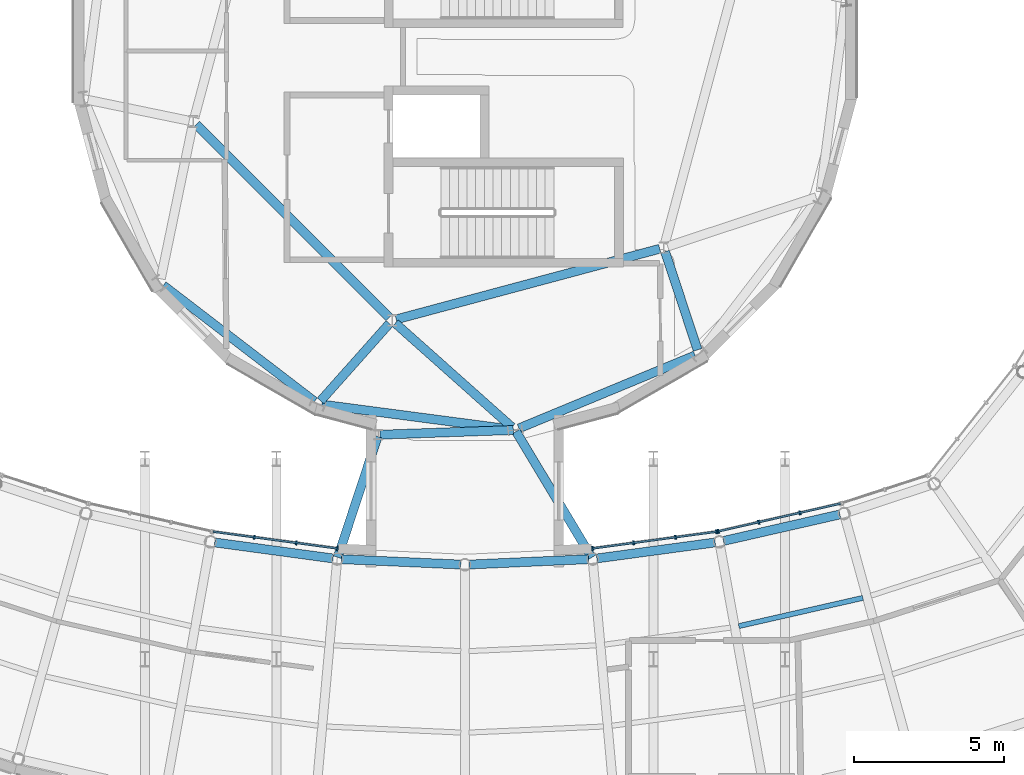
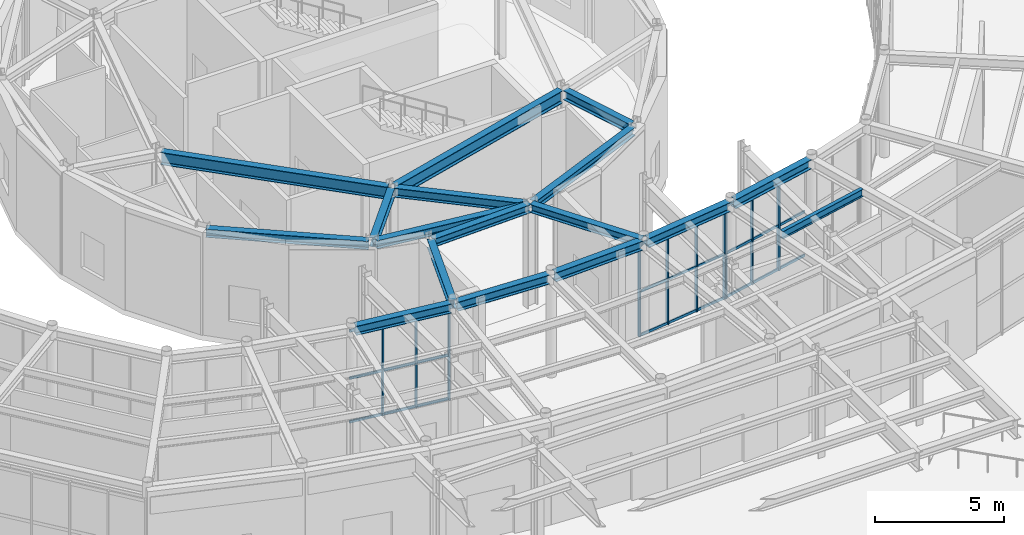
# One storey, part 28 of 97: 19 members, 17 beams, 3 elements without a shape of their own.
"""IFC4 building model written with IfcOpenShell, lengths in metres."""

from ifc_helpers import new_model, si_unit, direction, frame, origin, origin_2d, place, context, subcontext, project, spatial, rectangle, i_section, extrude, material, material_profile, profile_set, type_object, element, aggregate, save


model = new_model("IFC4")

# Units and contexts
model_context = context("Model", 3, precision=1e-05, world=origin(), true_north=direction((0.0, 1.0)))
body_context = subcontext(model_context, "Body", "Model", "MODEL_VIEW")
ifc_project = project(units=[si_unit("LENGTHUNIT", "METRE"), si_unit("AREAUNIT", "SQUARE_METRE"), si_unit("VOLUMEUNIT", "CUBIC_METRE"), si_unit("PLANEANGLEUNIT", "RADIAN"), si_unit("MASSUNIT", "GRAM", prefix="KILO")], contexts=[model_context])

# Site, building, storey
site_placement = place(None, origin())
site = spatial("IfcSite", under=ifc_project, at=site_placement, CompositionType="ELEMENT")
building_placement = place(site_placement, origin())
building = spatial("IfcBuilding", under=site, at=building_placement, Name="Varnklinge Art Gallery", CompositionType="ELEMENT")
storey_placement = place(building_placement, origin())
storey = spatial("IfcBuildingStorey", under=building, at=storey_placement, Name="L00", CompositionType="ELEMENT", Elevation=0.0)

# Beams
ifc_material_1 = material(Name="Steel S355", Category="steel")
ifc_material_profile_1 = material_profile(ifc_material_1, i_section(OverallWidth=0.300048828125, OverallDepth=0.590087890625, WebThickness=0.012939453125, FlangeThickness=0.02490234375, FilletRadius=0.027099609375, at=origin_2d()), Name="HEA 600")
ifc_profile_set_1 = profile_set([ifc_material_profile_1], Name="Steel S355")
beam_type_1 = type_object("IfcBeamType", Name="BM-06", PredefinedType="BEAM", material=ifc_profile_set_1)
beam_1_placement = place(storey_placement, frame((66.519287109375, 35.968017578125, 4.5849609375), z_axis=(0.707106781187, -0.707106781187, 0.0), x_axis=(0.707106781187, 0.707106781187, 0.0)))
element("IfcBeam", 1, at=beam_1_placement, inside=storey, type_object=beam_type_1, Name="L00 BM-06 BM-V4D-L01-I4", PredefinedType="BEAM", context=body_context, shape_type="SweptSolid", body=[
    extrude(i_section(OverallWidth=0.300048828125, OverallDepth=0.590087890625, WebThickness=0.012939453125, FlangeThickness=0.02490234375, FilletRadius=0.027099609375, at=origin_2d()), origin(), (0.0, 0.0, 1.0), 9.119873046875),
])
beam_2_placement = place(storey_placement, frame((73.202392578125, 29.45654296875, 4.5849609375), z_axis=(0.965928574877, 0.258808787016, 0.0), x_axis=(-0.258808787016, 0.965928574877, 0.0)))
element("IfcBeam", 2, at=beam_2_placement, inside=storey, type_object=beam_type_1, Name="L00 BM-06 BM-V4D-L01-I5", PredefinedType="BEAM", context=body_context, shape_type="SweptSolid", body=[
    extrude(i_section(OverallWidth=0.300048828125, OverallDepth=0.590087890625, WebThickness=0.012939453125, FlangeThickness=0.02490234375, FilletRadius=0.027099609375, at=origin_2d()), origin(), (0.0, 0.0, 1.0), 9.1201171875),
])
ifc_material_2 = material(Name="Steel S355", Category="steel")
ifc_material_profile_2 = material_profile(ifc_material_2, i_section(OverallWidth=0.300048828125, OverallDepth=0.43994140625, WebThickness=0.011474609375, FlangeThickness=0.02099609375, FilletRadius=0.027099609375, at=origin_2d()), Name="HEA 450")
ifc_profile_set_2 = profile_set([ifc_material_profile_2], Name="Steel S355")
beam_type_2 = type_object("IfcBeamType", Name="BM-08", PredefinedType="BEAM", material=ifc_profile_set_2)
beam_3_placement = place(storey_placement, frame((72.97412109375, 29.315673828125, 4.659912109375), z_axis=(-0.664780083084, -0.747039116201, 0.0), x_axis=(0.747039116201, -0.664780083084, 0.0)))
element("IfcBeam", 3, at=beam_3_placement, inside=storey, type_object=beam_type_2, Name="L00 BM-08 BM-V4D-L01-R09", PredefinedType="BEAM", context=body_context, shape_type="SweptSolid", body=[
    extrude(i_section(OverallWidth=0.300048828125, OverallDepth=0.43994140625, WebThickness=0.011474609375, FlangeThickness=0.02099609375, FilletRadius=0.027099609375, at=origin_2d()), origin(), (0.0, 0.0, 1.0), 3.457763671875),
])
beam_4_placement = place(storey_placement, frame((73.171630859375, 29.3271484375, 4.659912109375), z_axis=(0.746795307155, -0.665053959623, 0.0), x_axis=(0.665053959623, 0.746795307155, 0.0)))
element("IfcBeam", 4, at=beam_4_placement, inside=storey, type_object=beam_type_2, Name="L00 BM-08 BM-V4D-L01-R10", PredefinedType="BEAM", context=body_context, shape_type="SweptSolid", body=[
    extrude(i_section(OverallWidth=0.300048828125, OverallDepth=0.43994140625, WebThickness=0.011474609375, FlangeThickness=0.02099609375, FilletRadius=0.027099609375, at=origin_2d()), origin(), (0.0, 0.0, 1.0), 5.223876953125),
])
beam_5_placement = place(storey_placement, frame((82.19091796875, 31.72021484375, 4.659912109375), z_axis=(0.314574973389, -0.949232630137, 0.0), x_axis=(0.949232630137, 0.314574973389, 0.0)))
element("IfcBeam", 5, at=beam_5_placement, inside=storey, type_object=beam_type_2, Name="L00 BM-08 BM-V4D-L01-R11", PredefinedType="BEAM", context=body_context, shape_type="SweptSolid", body=[
    extrude(i_section(OverallWidth=0.300048828125, OverallDepth=0.43994140625, WebThickness=0.011474609375, FlangeThickness=0.02099609375, FilletRadius=0.027099609375, at=origin_2d()), origin(), (0.0, 0.0, 1.0), 3.45751953125),
])
ifc_material_3 = material(Name="Steel S355", Category="steel")
ifc_material_profile_3 = material_profile(ifc_material_3, i_section(OverallWidth=0.300048828125, OverallDepth=0.389892578125, WebThickness=0.010986328125, FlangeThickness=0.01904296875, FilletRadius=0.027099609375, at=origin_2d()), Name="HEA 400")
ifc_profile_set_3 = profile_set([ifc_material_profile_3], Name="Steel S355")
beam_type_3 = type_object("IfcBeamType", Name="BM-09", PredefinedType="BEAM", material=ifc_profile_set_3)
beam_6_placement = place(storey_placement, frame((79.73828125, 21.497314453125, 4.68505859375), z_axis=(-0.514992622246, 0.857194609778, 0.0), x_axis=(-0.857194609778, -0.514992622246, 0.0)))
element("IfcBeam", 6, at=beam_6_placement, inside=storey, type_object=beam_type_3, Name="L00 BM-09 BM-LNK-V4S-L01-2", PredefinedType="BEAM", context=body_context, shape_type="SweptSolid", body=[
    extrude(i_section(OverallWidth=0.300048828125, OverallDepth=0.389892578125, WebThickness=0.010986328125, FlangeThickness=0.01904296875, FilletRadius=0.027099609375, at=origin_2d()), origin(), (0.0, 0.0, 1.0), 4.912841796875),
])
beam_7_placement = place(storey_placement, frame((77.1171875, 25.7578125, 4.68505859375), z_axis=(-0.999389964671, -0.034924182366, 0.0), x_axis=(0.034924182366, -0.999389964671, 0.0)))
element("IfcBeam", 7, at=beam_7_placement, inside=storey, type_object=beam_type_3, Name="L00 BM-09 BM-LNK-V4S-L01-3", PredefinedType="BEAM", context=body_context, shape_type="SweptSolid", body=[
    extrude(i_section(OverallWidth=0.300048828125, OverallDepth=0.389892578125, WebThickness=0.010986328125, FlangeThickness=0.01904296875, FilletRadius=0.027099609375, at=origin_2d()), origin(), (0.0, 0.0, 1.0), 4.4599609375),
])
beam_8_placement = place(storey_placement, frame((72.581298828125, 25.54296875, 4.68505859375), z_axis=(-0.313075182733, -0.949728345348, 0.0), x_axis=(0.949728345348, -0.313075182733, 0.0)))
element("IfcBeam", 8, at=beam_8_placement, inside=storey, type_object=beam_type_3, Name="L00 BM-09 BM-LNK-V4S-L01-4", PredefinedType="BEAM", context=body_context, shape_type="SweptSolid", body=[
    extrude(i_section(OverallWidth=0.300048828125, OverallDepth=0.389892578125, WebThickness=0.010986328125, FlangeThickness=0.01904296875, FilletRadius=0.027099609375, at=origin_2d()), origin(), (0.0, 0.0, 1.0), 4.25390625),
])
ifc_material_4 = material(Name="Steel S355", Category="steel")
ifc_material_profile_4 = material_profile(ifc_material_4, i_section(OverallWidth=0.169921875, OverallDepth=0.360107421875, WebThickness=0.008056640625, FlangeThickness=0.0126953125, FilletRadius=0.01806640625, at=origin_2d()), Name="IPE 360")
ifc_profile_set_4 = profile_set([ifc_material_profile_4], Name="Steel S355")
beam_type_4 = type_object("IfcBeamType", Name="JST-06", PredefinedType="JOIST", material=ifc_profile_set_4)
beam_9_placement = place(storey_placement, frame((84.65625, 19.202392578125, 4.699951171875), z_axis=(0.975058358995, 0.221948634943, 0.0), x_axis=(-0.221948634943, 0.975058358995, 0.0)))
element("IfcBeam", 9, at=beam_9_placement, inside=storey, type_object=beam_type_4, Name="L00 JST-06 JST-V2-L01-39-2", PredefinedType="JOIST", context=body_context, shape_type="SweptSolid", body=[
    extrude(i_section(OverallWidth=0.169921875, OverallDepth=0.360107421875, WebThickness=0.008056640625, FlangeThickness=0.0126953125, FilletRadius=0.01806640625, at=origin_2d()), origin(), (0.0, 0.0, 1.0), 4.25244140625),
])

# Curtain wall, members
ifc_material_5 = material(Name="Anodised Aluminium", Category="aluminium")
curtain_wall_type = type_object("IfcCurtainWallType", Name="CW-R03", PredefinedType="USERDEFINED", material=ifc_material_5)
curtain_wall_1_placement = place(storey_placement, origin())
curtain_wall_1 = element("IfcCurtainWall", 10, at=curtain_wall_1_placement, inside=storey, type_object=curtain_wall_type, Name="L00 Curtain Wall CW-V2I-L00-35", ObjectType="UNITISED CURTAIN WALL", PredefinedType="USERDEFINED")
ifc_material_6 = material(Name="Anodised Aluminium", Category="aluminium")
ifc_material_profile_5 = material_profile(ifc_material_6, rectangle(XDim=0.06005859375, YDim=0.139892578125, at=origin_2d()), Name="ALU 60x140")
ifc_profile_set_5 = profile_set([ifc_material_profile_5], Name="Anodised Aluminium")
member_type_1 = type_object("IfcMemberType", Name="MUL-03", PredefinedType="MULLION", material=ifc_profile_set_5)
member_1_placement = place(storey_placement, frame((71.232421875, 21.798583984375, 0.0), z_axis=(0.0, 0.0, 1.0), x_axis=(-0.990983199715, 0.133986185418, 0.0)))
member_1 = element("IfcMember", 11, at=member_1_placement, type_object=member_type_1, Name="CW-V2I-L00-35 Mullion 1", PredefinedType="MULLION", context=body_context, shape_type="SweptSolid", body=[
    extrude(rectangle(XDim=0.06005859375, YDim=0.139892578125, at=origin_2d()), origin(), (0.0, 0.0, 1.0), 4.429931640625),
])
member_2_placement = place(storey_placement, frame((69.860595703125, 21.98388671875, 0.0), z_axis=(0.0, 0.0, 1.0), x_axis=(-0.990983199715, 0.133986185418, 0.0)))
member_2 = element("IfcMember", 12, at=member_2_placement, type_object=member_type_1, Name="CW-V2I-L00-35 Mullion 2", PredefinedType="MULLION", context=body_context, shape_type="SweptSolid", body=[
    extrude(rectangle(XDim=0.06005859375, YDim=0.139892578125, at=origin_2d()), origin(), (0.0, 0.0, 1.0), 4.429931640625),
])
member_3_placement = place(storey_placement, frame((68.459228515625, 22.173095703125, 0.0), z_axis=(0.0, 0.0, 1.0), x_axis=(-0.990983199715, 0.133986185418, 0.0)))
member_3 = element("IfcMember", 13, at=member_3_placement, type_object=member_type_1, Name="CW-V2I-L00-35 Mullion 3", PredefinedType="MULLION", context=body_context, shape_type="SweptSolid", body=[
    extrude(rectangle(XDim=0.06005859375, YDim=0.139892578125, at=origin_2d()), origin(), (0.0, 0.0, 1.0), 4.429931640625),
])

curtain_wall_2_placement = place(storey_placement, origin())
curtain_wall_2 = element("IfcCurtainWall", 14, at=curtain_wall_2_placement, inside=storey, type_object=curtain_wall_type, Name="L00 Curtain Wall CW-V2I-L00-38", ObjectType="UNITISED CURTAIN WALL", PredefinedType="USERDEFINED")
member_4_placement = place(storey_placement, frame((83.912353515625, 22.358642578125, 0.0), z_axis=(0.0, 0.0, 1.0), x_axis=(-0.990983199715, -0.133986185418, 0.0)))
member_4 = element("IfcMember", 15, at=member_4_placement, type_object=member_type_1, Name="CW-V2I-L00-38 Mullion 1", PredefinedType="MULLION", context=body_context, shape_type="SweptSolid", body=[
    extrude(rectangle(XDim=0.06005859375, YDim=0.139892578125, at=origin_2d()), origin(), (0.0, 0.0, 1.0), 4.429931640625),
])
member_5_placement = place(storey_placement, frame((82.540771484375, 22.173095703125, 0.0), z_axis=(0.0, 0.0, 1.0), x_axis=(-0.990983199715, -0.133986185418, 0.0)))
member_5 = element("IfcMember", 16, at=member_5_placement, type_object=member_type_1, Name="CW-V2I-L00-38 Mullion 2", PredefinedType="MULLION", context=body_context, shape_type="SweptSolid", body=[
    extrude(rectangle(XDim=0.06005859375, YDim=0.139892578125, at=origin_2d()), origin(), (0.0, 0.0, 1.0), 4.429931640625),
])
member_6_placement = place(storey_placement, frame((81.139404296875, 21.98388671875, 0.0), z_axis=(0.0, 0.0, 1.0), x_axis=(-0.990983199715, -0.133986185418, 0.0)))
member_6 = element("IfcMember", 17, at=member_6_placement, type_object=member_type_1, Name="CW-V2I-L00-38 Mullion 3", PredefinedType="MULLION", context=body_context, shape_type="SweptSolid", body=[
    extrude(rectangle(XDim=0.06005859375, YDim=0.139892578125, at=origin_2d()), origin(), (0.0, 0.0, 1.0), 4.429931640625),
])
member_7_placement = place(storey_placement, frame((79.767578125, 21.798583984375, 0.0), z_axis=(0.0, 0.0, 1.0), x_axis=(-0.990983199715, -0.133986185418, 0.0)))
member_7 = element("IfcMember", 18, at=member_7_placement, type_object=member_type_1, Name="CW-V2I-L00-38 Mullion 4", PredefinedType="MULLION", context=body_context, shape_type="SweptSolid", body=[
    extrude(rectangle(XDim=0.06005859375, YDim=0.139892578125, at=origin_2d()), origin(), (0.0, 0.0, 1.0), 4.429931640625),
])

curtain_wall_3_placement = place(storey_placement, origin())
curtain_wall_3 = element("IfcCurtainWall", 19, at=curtain_wall_3_placement, inside=storey, type_object=curtain_wall_type, Name="L00 Curtain Wall CW-V2I-L00-39", ObjectType="UNITISED CURTAIN WALL", PredefinedType="USERDEFINED")
member_8_placement = place(storey_placement, frame((86.69970703125, 22.990234375, 0.0), z_axis=(0.0, 0.0, 1.0), x_axis=(-0.975071959883, -0.221888875454, 0.0)))
member_8 = element("IfcMember", 20, at=member_8_placement, type_object=member_type_1, Name="CW-V2I-L00-39 Mullion 2", PredefinedType="MULLION", context=body_context, shape_type="SweptSolid", body=[
    extrude(rectangle(XDim=0.06005859375, YDim=0.139892578125, at=origin_2d()), origin(), (0.0, 0.0, 1.0), 4.429931640625),
])
member_9_placement = place(storey_placement, frame((85.32080078125, 22.676513671875, 0.0), z_axis=(0.0, 0.0, 1.0), x_axis=(-0.975071959883, -0.221888875454, 0.0)))
member_9 = element("IfcMember", 21, at=member_9_placement, type_object=member_type_1, Name="CW-V2I-L00-39 Mullion 3", PredefinedType="MULLION", context=body_context, shape_type="SweptSolid", body=[
    extrude(rectangle(XDim=0.06005859375, YDim=0.139892578125, at=origin_2d()), origin(), (0.0, 0.0, 1.0), 4.429931640625),
])
member_10_placement = place(storey_placement, frame((83.971435546875, 22.369384765625, 0.0), z_axis=(0.0, 0.0, 1.0), x_axis=(-0.975071959883, -0.221888875454, 0.0)))
member_10 = element("IfcMember", 22, at=member_10_placement, type_object=member_type_1, Name="CW-V2I-L00-39 Mullion 4", PredefinedType="MULLION", context=body_context, shape_type="SweptSolid", body=[
    extrude(rectangle(XDim=0.06005859375, YDim=0.139892578125, at=origin_2d()), origin(), (0.0, 0.0, 1.0), 4.429931640625),
])

# Beams
ifc_material_7 = material(Name="Steel S355", Category="steel")
ifc_material_profile_6 = material_profile(ifc_material_7, i_section(OverallWidth=0.300048828125, OverallDepth=0.43994140625, WebThickness=0.011474609375, FlangeThickness=0.02099609375, FilletRadius=0.027099609375, at=origin_2d()), Name="HEA 450")
ifc_profile_set_6 = profile_set([ifc_material_profile_6], Name="Steel S355")
beam_type_5 = type_object("IfcBeamType", Name="SPB-02", PredefinedType="SPANDREL", material=ifc_profile_set_6)
beam_10_placement = place(storey_placement, frame((67.13427734375, 21.99951171875, 4.659912109375), z_axis=(0.990989799055, -0.133937366586, 0.0), x_axis=(0.133937366586, 0.990989799055, 0.0)))
element("IfcBeam", 23, at=beam_10_placement, inside=storey, type_object=beam_type_5, Name="L00 SPB-02 BM-V2-L01-I35", PredefinedType="SPANDREL", context=body_context, shape_type="SweptSolid", body=[
    extrude(i_section(OverallWidth=0.300048828125, OverallDepth=0.43994140625, WebThickness=0.011474609375, FlangeThickness=0.02099609375, FilletRadius=0.027099609375, at=origin_2d()), origin(), (0.0, 0.0, 1.0), 3.99365234375),
])
for number, where, z_axis, x_axis, name in (
    (24, (71.37060546875, 21.439697265625, 4.659912109375), (0.998998197966, -0.044750424142, 0.0), (0.044750424142, 0.998998197966, 0.0), "L00 SPB-02 BM-V2-L01-I36"),
    (25, (75.639892578125, 21.260986328125, 4.659912109375), (0.998998197966, 0.044750424142, 0.0), (-0.044750424142, 0.998998197966, 0.0), "L00 SPB-02 BM-V2-L01-I37"),
):
    element("IfcBeam", number, at=place(storey_placement, frame(where, z_axis=z_axis, x_axis=x_axis)), inside=storey, type_object=beam_type_5, Name=name, PredefinedType="SPANDREL", context=body_context, shape_type="SweptSolid", body=[
        extrude(i_section(OverallWidth=0.300048828125, OverallDepth=0.43994140625, WebThickness=0.011474609375, FlangeThickness=0.02099609375, FilletRadius=0.027099609375, at=origin_2d()), origin(), (0.0, 0.0, 1.0), 3.993408203125),
    ])
for number, where, z_axis, x_axis, name in (
    (26, (79.907958984375, 21.464599609375, 4.659912109375), (0.990989799055, 0.133937366586, 0.0), (-0.133937366586, 0.990989799055, 0.0), "L00 SPB-02 BM-V2-L01-I38"),
    (27, (84.140869140625, 22.04931640625, 4.659912109375), (0.975053526144, 0.221969865419, 0.0), (-0.221969865419, 0.975053526144, 0.0), "L00 SPB-02 BM-V2-L01-I39"),
):
    element("IfcBeam", number, at=place(storey_placement, frame(where, z_axis=z_axis, x_axis=x_axis)), inside=storey, type_object=beam_type_5, Name=name, PredefinedType="SPANDREL", context=body_context, shape_type="SweptSolid", body=[
        extrude(i_section(OverallWidth=0.300048828125, OverallDepth=0.43994140625, WebThickness=0.011474609375, FlangeThickness=0.02099609375, FilletRadius=0.027099609375, at=origin_2d()), origin(), (0.0, 0.0, 1.0), 3.99365234375),
    ])
ifc_material_8 = material(Name="Steel S355", Category="steel")
ifc_material_profile_7 = material_profile(ifc_material_8, i_section(OverallWidth=0.300048828125, OverallDepth=0.389892578125, WebThickness=0.010986328125, FlangeThickness=0.01904296875, FilletRadius=0.027099609375, at=origin_2d()), Name="HEA 400")
ifc_profile_set_7 = profile_set([ifc_material_profile_7], Name="Steel S355")
beam_type_6 = type_object("IfcBeamType", Name="SPB-03", PredefinedType="SPANDREL", material=ifc_profile_set_7)
beam_11_placement = place(storey_placement, frame((65.41650390625, 30.59228515625, 4.68505859375), z_axis=(0.793344185287, -0.608773359857, 0.0), x_axis=(0.608773359857, 0.793344185287, 0.0)))
element("IfcBeam", 28, at=beam_11_placement, inside=storey, type_object=beam_type_6, Name="L00 SPB-03 BM-V4D-L01-P08", PredefinedType="SPANDREL", context=body_context, shape_type="SweptSolid", body=[
    extrude(i_section(OverallWidth=0.300048828125, OverallDepth=0.389892578125, WebThickness=0.010986328125, FlangeThickness=0.01904296875, FilletRadius=0.027099609375, at=origin_2d()), origin(), (0.0, 0.0, 1.0), 6.37158203125),
])
beam_12_placement = place(storey_placement, frame((70.72119140625, 26.60986328125, 4.68505859375), z_axis=(0.991448034575, -0.130502087099, 0.0), x_axis=(0.130502087099, 0.991448034575, 0.0)))
element("IfcBeam", 29, at=beam_12_placement, inside=storey, type_object=beam_type_6, Name="L00 SPB-03 BM-V4D-L01-P09", PredefinedType="SPANDREL", context=body_context, shape_type="SweptSolid", body=[
    extrude(i_section(OverallWidth=0.300048828125, OverallDepth=0.389892578125, WebThickness=0.010986328125, FlangeThickness=0.01904296875, FilletRadius=0.027099609375, at=origin_2d()), origin(), (0.0, 0.0, 1.0), 6.371826171875),
])
beam_13_placement = place(storey_placement, frame((77.306640625, 25.8134765625, 4.68505859375), z_axis=(0.923886541746, 0.382666510137, 0.0), x_axis=(-0.382666510137, 0.923886541746, 0.0)))
element("IfcBeam", 30, at=beam_13_placement, inside=storey, type_object=beam_type_6, Name="L00 SPB-03 BM-V4D-L01-P10", PredefinedType="SPANDREL", context=body_context, shape_type="SweptSolid", body=[
    extrude(i_section(OverallWidth=0.300048828125, OverallDepth=0.389892578125, WebThickness=0.010986328125, FlangeThickness=0.01904296875, FilletRadius=0.027099609375, at=origin_2d()), origin(), (0.0, 0.0, 1.0), 6.37158203125),
])

# Member
ifc_material_9 = material(Name="Anodised Aluminium", Category="aluminium")
ifc_material_profile_8 = material_profile(ifc_material_9, rectangle(XDim=0.06005859375, YDim=0.1201171875, at=origin_2d()), Name="ALU 60x120")
ifc_profile_set_8 = profile_set([ifc_material_profile_8], Name="Anodised Aluminium")
member_type_2 = type_object("IfcMemberType", Name="TRN-02", PredefinedType="USERDEFINED", material=ifc_profile_set_8)
member_11_placement = place(storey_placement, frame((71.232421875, 21.798583984375, 0.06005859375), z_axis=(-0.99099389595, 0.133907050557, 0.0), x_axis=(-0.133907050557, -0.99099389595, 0.0)))
member_11 = element("IfcMember", 31, at=member_11_placement, type_object=member_type_2, Name="CW-V2I-L00-35 Transom 1", ObjectType="TRANSOM", PredefinedType="USERDEFINED", context=body_context, shape_type="SweptSolid", body=[
    extrude(rectangle(XDim=0.06005859375, YDim=0.1201171875, at=origin_2d()), origin(), (0.0, 0.0, 1.0), 4.182373046875),
])

member_12_placement = place(storey_placement, frame((71.232421875, 21.798583984375, 2.12646484375), z_axis=(-0.99099389595, 0.133907050557, 0.0), x_axis=(-0.133907050557, -0.99099389595, 0.0)))
member_12 = element("IfcMember", 32, at=member_12_placement, type_object=member_type_2, Name="CW-V2I-L00-35 Transom 2", ObjectType="TRANSOM", PredefinedType="USERDEFINED", context=body_context, shape_type="SweptSolid", body=[
    extrude(rectangle(XDim=0.06005859375, YDim=0.1201171875, at=origin_2d()), origin(), (0.0, 0.0, 1.0), 4.182373046875),
])

member_13_placement = place(storey_placement, frame((71.232421875, 21.798583984375, 4.3701171875), z_axis=(-0.99099389595, 0.133907050557, 0.0), x_axis=(-0.133907050557, -0.99099389595, 0.0)))
member_13 = element("IfcMember", 33, at=member_13_placement, type_object=member_type_2, Name="CW-V2I-L00-35 Transom 3", ObjectType="TRANSOM", PredefinedType="USERDEFINED", context=body_context, shape_type="SweptSolid", body=[
    extrude(rectangle(XDim=0.06005859375, YDim=0.1201171875, at=origin_2d()), origin(), (0.0, 0.0, 1.0), 4.182373046875),
])

aggregate(curtain_wall_1, [member_1, member_2, member_3, member_11, member_12, member_13])

member_14_placement = place(storey_placement, frame((83.912353515625, 22.358642578125, 0.06005859375), z_axis=(-0.99099389595, -0.133907050557, 0.0), x_axis=(0.133907050557, -0.99099389595, 0.0)))
member_14 = element("IfcMember", 34, at=member_14_placement, type_object=member_type_2, Name="CW-V2I-L00-38 Transom 1", ObjectType="TRANSOM", PredefinedType="USERDEFINED", context=body_context, shape_type="SweptSolid", body=[
    extrude(rectangle(XDim=0.06005859375, YDim=0.1201171875, at=origin_2d()), origin(), (0.0, 0.0, 1.0), 4.182373046875),
])

member_15_placement = place(storey_placement, frame((83.912353515625, 22.358642578125, 2.12646484375), z_axis=(-0.99099389595, -0.133907050557, 0.0), x_axis=(0.133907050557, -0.99099389595, 0.0)))
member_15 = element("IfcMember", 35, at=member_15_placement, type_object=member_type_2, Name="CW-V2I-L00-38 Transom 2", ObjectType="TRANSOM", PredefinedType="USERDEFINED", context=body_context, shape_type="SweptSolid", body=[
    extrude(rectangle(XDim=0.06005859375, YDim=0.1201171875, at=origin_2d()), origin(), (0.0, 0.0, 1.0), 4.182373046875),
])

member_16_placement = place(storey_placement, frame((83.912353515625, 22.358642578125, 4.3701171875), z_axis=(-0.99099389595, -0.133907050557, 0.0), x_axis=(0.133907050557, -0.99099389595, 0.0)))
member_16 = element("IfcMember", 36, at=member_16_placement, type_object=member_type_2, Name="CW-V2I-L00-38 Transom 3", ObjectType="TRANSOM", PredefinedType="USERDEFINED", context=body_context, shape_type="SweptSolid", body=[
    extrude(rectangle(XDim=0.06005859375, YDim=0.1201171875, at=origin_2d()), origin(), (0.0, 0.0, 1.0), 4.182373046875),
])

aggregate(curtain_wall_2, [member_4, member_5, member_6, member_7, member_14, member_15, member_16])

member_17_placement = place(storey_placement, frame((88.04931640625, 23.297607421875, 0.06005859375), z_axis=(-0.975058827612, -0.221946576219, 0.0), x_axis=(0.221946576219, -0.975058827612, 0.0)))
member_17 = element("IfcMember", 37, at=member_17_placement, type_object=member_type_2, Name="CW-V2I-L00-39 Transom 1", ObjectType="TRANSOM", PredefinedType="USERDEFINED", context=body_context, shape_type="SweptSolid", body=[
    extrude(rectangle(XDim=0.06005859375, YDim=0.1201171875, at=origin_2d()), origin(), (0.0, 0.0, 1.0), 4.18212890625),
])

member_18_placement = place(storey_placement, frame((88.04931640625, 23.297607421875, 2.12646484375), z_axis=(-0.975058827612, -0.221946576219, 0.0), x_axis=(0.221946576219, -0.975058827612, 0.0)))
member_18 = element("IfcMember", 38, at=member_18_placement, type_object=member_type_2, Name="CW-V2I-L00-39 Transom 2", ObjectType="TRANSOM", PredefinedType="USERDEFINED", context=body_context, shape_type="SweptSolid", body=[
    extrude(rectangle(XDim=0.06005859375, YDim=0.1201171875, at=origin_2d()), origin(), (0.0, 0.0, 1.0), 4.18212890625),
])

member_19_placement = place(storey_placement, frame((88.04931640625, 23.297607421875, 4.3701171875), z_axis=(-0.975058827612, -0.221946576219, 0.0), x_axis=(0.221946576219, -0.975058827612, 0.0)))
member_19 = element("IfcMember", 39, at=member_19_placement, type_object=member_type_2, Name="CW-V2I-L00-39 Transom 3", ObjectType="TRANSOM", PredefinedType="USERDEFINED", context=body_context, shape_type="SweptSolid", body=[
    extrude(rectangle(XDim=0.06005859375, YDim=0.1201171875, at=origin_2d()), origin(), (0.0, 0.0, 1.0), 4.18212890625),
])

aggregate(curtain_wall_3, [member_8, member_9, member_10, member_17, member_18, member_19])

save(model, "model.ifc")
